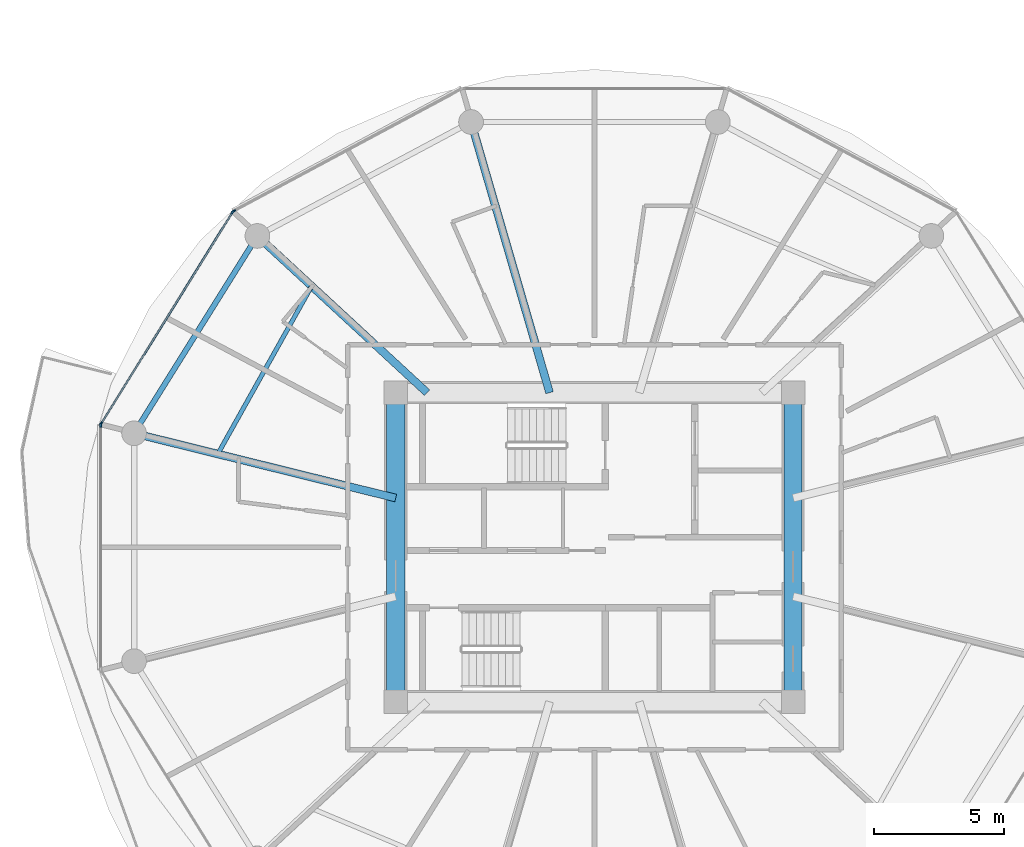
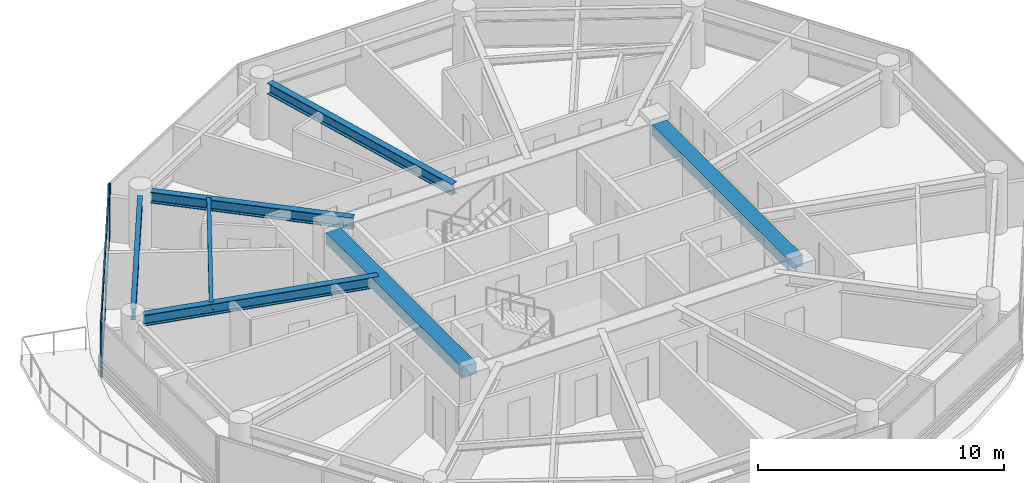
# One storey, part 4 of 28: 7 beams, 6 members, 3 elements without a shape of their own.
"""IFC4 building model written with IfcOpenShell, lengths in metres."""

from ifc_helpers import new_model, si_unit, direction, frame, origin, origin_2d, place, context, subcontext, project, spatial, rectangle, i_section, extrude, source, transform, mapped, material, layer, layer_set, material_profile, profile_set, type_object, type_shapes, element, aggregate, save


model = new_model("IFC4")

# Units and contexts
model_context = context("Model", 3, precision=1e-05, world=origin(), true_north=direction((0.0, 1.0)))
body_context = subcontext(model_context, "Body", "Model", "MODEL_VIEW")
ifc_project = project(units=[si_unit("LENGTHUNIT", "METRE"), si_unit("AREAUNIT", "SQUARE_METRE"), si_unit("VOLUMEUNIT", "CUBIC_METRE"), si_unit("PLANEANGLEUNIT", "RADIAN"), si_unit("MASSUNIT", "GRAM", prefix="KILO")], contexts=[model_context])

# Site, building, storey
site_placement = place(None, origin())
site = spatial("IfcSite", under=ifc_project, at=site_placement, CompositionType="ELEMENT")
building_placement = place(site_placement, origin())
building = spatial("IfcBuilding", under=site, at=building_placement, Name="Norrkilde Senior Care Towers", CompositionType="ELEMENT")
storey_placement = place(building_placement, frame((0.0, 0.0, 39.89990234375)))
storey = spatial("IfcBuildingStorey", under=building, at=storey_placement, Name="L11", CompositionType="ELEMENT", Elevation=39.89990234375)

# Beams
ifc_material_1 = material(Name="Concrete C60/75", Category="concrete")
ifc_material_profile_1 = material_profile(ifc_material_1, rectangle(XDim=0.699951171875, YDim=0.550048828125, at=origin_2d()), Name="RC BM 700x550")
ifc_profile_set_1 = profile_set([ifc_material_profile_1], Name="Concrete C60/75")
beam_type_1 = type_object("IfcBeamType", Name="Core Portal Coupling Beam 700x550", PredefinedType="USERDEFINED", material=ifc_profile_set_1)
shared_shape_1 = source(origin(), body_context, "Body", "SweptSolid", [
    extrude(rectangle(XDim=0.699951171875, YDim=0.550048828125, at=origin_2d()), origin(), (0.0, 0.0, 1.0), 11.0400390625),
])
type_shapes(beam_type_1, [shared_shape_1])
for number, where, z_axis, x_axis, name in (
    (1, (-35.64990234375, -5.52001953125, 2.51513671875), (0.0, 1.0, 0.0), (-1.0, 0.0, 0.0), "L11 Core W W Coupling Girder"),
    (2, (-20.35009765625, -5.52001953125, 2.51513671875), (0.0, 1.0, 0.0), (-1.0, 0.0, 0.0), "L11 Core W E Coupling Girder"),
):
    element("IfcBeam", number, at=place(storey_placement, frame(where, z_axis=z_axis, x_axis=x_axis)), inside=storey, type_object=beam_type_1, Name=name, ObjectType="GIRDER", PredefinedType="USERDEFINED", context=body_context, shape_type="MappedRepresentation", body=[
        mapped(shared_shape_1, transform((0.0, 0.0, 0.0), x_axis=(1.0, 0.0, 0.0), y_axis=(0.0, 1.0, 0.0), z_axis=(0.0, 0.0, 1.0), scale=1.0)),
    ])
ifc_material_2 = material(Name="Steel S355", Category="steel")
ifc_material_profile_2 = material_profile(ifc_material_2, i_section(OverallWidth=0.2099609375, OverallDepth=0.550048828125, WebThickness=0.010986328125, FlangeThickness=0.01708984375, FilletRadius=0.02392578125, at=origin_2d()), Name="IPE 550")
ifc_profile_set_2 = profile_set([ifc_material_profile_2], Name="Steel S355")
beam_type_2 = type_object("IfcBeamType", Name="Perimeter Ring Spandrel Z1 IPE550", PredefinedType="SPANDREL", material=ifc_profile_set_2)
shared_shape_2 = source(origin(), body_context, "Body", "SweptSolid", [
    extrude(i_section(OverallWidth=0.2099609375, OverallDepth=0.550048828125, WebThickness=0.010986328125, FlangeThickness=0.01708984375, FilletRadius=0.02392578125, at=origin_2d()), origin(), (0.0, 0.0, 1.0), 8.090576171875),
])
type_shapes(beam_type_2, [shared_shape_2])
beam_1_placement = place(storey_placement, frame((-41.2060546875, 11.61669921875, 2.51513671875), z_axis=(-0.530004364821, -0.84799491347, 0.0), x_axis=(0.84799491347, -0.530004364821, 0.0)))
element("IfcBeam", 3, at=beam_1_placement, inside=storey, type_object=beam_type_2, Name="L11 Drum W Perimeter Spandrel 05", PredefinedType="SPANDREL", context=body_context, shape_type="MappedRepresentation", body=[
    mapped(shared_shape_2, transform((0.0, 0.0, 0.0), x_axis=(1.0, 0.0, 0.0), y_axis=(0.0, 1.0, 0.0), z_axis=(0.0, 0.0, 1.0), scale=1.0)),
])
ifc_material_profile_3 = material_profile(ifc_material_2, i_section(OverallWidth=0.300048828125, OverallDepth=0.550048828125, WebThickness=0.014892578125, FlangeThickness=0.029052734375, FilletRadius=0.027099609375, at=origin_2d()), Name="HEB 550")
ifc_profile_set_3 = profile_set([ifc_material_profile_3], Name="Steel S355")
beam_type_3 = type_object("IfcBeamType", Name="Radial Floor Beam Z1 HEB550", PredefinedType="BEAM", material=ifc_profile_set_3)
shared_shape_3 = source(origin(), body_context, "Body", "SweptSolid", [
    extrude(i_section(OverallWidth=0.300048828125, OverallDepth=0.550048828125, WebThickness=0.014892578125, FlangeThickness=0.029052734375, FilletRadius=0.027099609375, at=origin_2d()), origin(), (0.0, 0.0, 1.0), 9.94384765625),
])
beam_2_placement = place(storey_placement, frame((-35.64990234375, 1.893310546875, 2.51513671875), z_axis=(-0.970707425182, 0.240264634718, 0.0), x_axis=(-0.240264634718, -0.970707425182, 0.0)))
element("IfcBeam", 4, at=beam_2_placement, inside=storey, type_object=beam_type_3, Name="L11 Drum W Radial Floor Beam 06", PredefinedType="BEAM", context=body_context, shape_type="MappedRepresentation", body=[
    mapped(shared_shape_3, transform((0.0, 0.0, 0.0), x_axis=(1.0, 0.0, 0.0), y_axis=(0.0, 1.0, 0.0), z_axis=(0.0, 0.0, 1.0), scale=1.0)),
])
shared_shape_4 = source(origin(), body_context, "Body", "SweptSolid", [
    extrude(i_section(OverallWidth=0.300048828125, OverallDepth=0.550048828125, WebThickness=0.014892578125, FlangeThickness=0.029052734375, FilletRadius=0.027099609375, at=origin_2d()), origin(), (0.0, 0.0, 1.0), 8.459716796875),
])
beam_3_placement = place(storey_placement, frame((-34.44140625, 5.949951171875, 2.51513671875), z_axis=(-0.734573269108, 0.678529374686, 0.0), x_axis=(-0.678529374686, -0.734573269108, 0.0)))
element("IfcBeam", 5, at=beam_3_placement, inside=storey, type_object=beam_type_3, Name="L11 Drum W Radial Floor Beam 05", PredefinedType="BEAM", context=body_context, shape_type="MappedRepresentation", body=[
    mapped(shared_shape_4, transform((0.0, 0.0, 0.0), x_axis=(1.0, 0.0, 0.0), y_axis=(0.0, 1.0, 0.0), z_axis=(0.0, 0.0, 1.0), scale=1.0)),
])
shared_shape_5 = source(origin(), body_context, "Body", "SweptSolid", [
    extrude(i_section(OverallWidth=0.300048828125, OverallDepth=0.550048828125, WebThickness=0.014892578125, FlangeThickness=0.029052734375, FilletRadius=0.027099609375, at=origin_2d()), origin(), (0.0, 0.0, 1.0), 10.4169921875),
])
type_shapes(beam_type_3, [shared_shape_3, shared_shape_4, shared_shape_5])
beam_4_placement = place(storey_placement, frame((-29.72607421875, 5.949951171875, 2.51513671875), z_axis=(-0.278591250785, 0.960409764104, 0.0), x_axis=(-0.960409764104, -0.278591250785, 0.0)))
element("IfcBeam", 6, at=beam_4_placement, inside=storey, type_object=beam_type_3, Name="L11 Drum W Radial Floor Beam 04", PredefinedType="BEAM", context=body_context, shape_type="MappedRepresentation", body=[
    mapped(shared_shape_5, transform((0.0, 0.0, 0.0), x_axis=(1.0, 0.0, 0.0), y_axis=(0.0, 1.0, 0.0), z_axis=(0.0, 0.0, 1.0), scale=1.0)),
])
ifc_material_profile_4 = material_profile(ifc_material_2, i_section(OverallWidth=0.169921875, OverallDepth=0.360107421875, WebThickness=0.008056640625, FlangeThickness=0.0126953125, FilletRadius=0.01806640625, at=origin_2d()), Name="IPE 360")
ifc_profile_set_4 = profile_set([ifc_material_profile_4], Name="Steel S355")
beam_type_4 = type_object("IfcBeamType", Name="Secondary Floor Joist IPE360", PredefinedType="JOIST", material=ifc_profile_set_4)
shared_shape_6 = source(origin(), body_context, "Body", "SweptSolid", [
    extrude(i_section(OverallWidth=0.169921875, OverallDepth=0.360107421875, WebThickness=0.008056640625, FlangeThickness=0.0126953125, FilletRadius=0.01806640625, at=origin_2d()), origin(), (0.0, 0.0, 1.0), 7.40771484375),
])
type_shapes(beam_type_4, [shared_shape_6])
beam_5_placement = place(storey_placement, frame((-38.884521484375, 10.05419921875, 2.610107421875), z_axis=(-0.488167754092, -0.872749817453, 0.0), x_axis=(0.872749817453, -0.488167754092, 0.0)))
element("IfcBeam", 7, at=beam_5_placement, inside=storey, type_object=beam_type_4, Name="L11 Drum W Secondary Floor Joist 2", PredefinedType="JOIST", context=body_context, shape_type="MappedRepresentation", body=[
    mapped(shared_shape_6, transform((0.0, 0.0, 0.0), x_axis=(1.0, 0.0, 0.0), y_axis=(0.0, 1.0, 0.0), z_axis=(0.0, 0.0, 1.0), scale=1.0)),
])

# Curtain wall, member
ifc_material_3 = material(Name="Triple Low-E Insulated Glazing", Category="glass")
ifc_layer = layer(ifc_material_3, 0.199951171875)
ifc_layer_set = layer_set([ifc_layer], Name="Triple Low-E Insulated Glazing")
curtain_wall_type = type_object("IfcCurtainWallType", Name="CW2 Zone 1 Memory Care Curtain Wall", PredefinedType="NOTDEFINED", material=ifc_layer_set)
curtain_wall_1_placement = place(storey_placement, origin())
curtain_wall_1 = element("IfcCurtainWall", 8, at=curtain_wall_1_placement, inside=storey, type_object=curtain_wall_type, Name="L11 Drum W Curtain Wall 03", PredefinedType="NOTDEFINED")
ifc_material_4 = material(Name="Anodised Aluminium", Category="aluminium")
ifc_material_profile_5 = material_profile(ifc_material_4, rectangle(XDim=0.06494140625, YDim=0.159912109375, at=origin_2d()), Name="ALU MULL 65x160")
ifc_profile_set_5 = profile_set([ifc_material_profile_5], Name="Anodised Aluminium")
member_type_1 = type_object("IfcMemberType", Name="Curtain Wall Mullion Z1-Z2 65x160", PredefinedType="MULLION", material=ifc_profile_set_5)
shared_shape_7 = source(origin(), body_context, "Body", "SweptSolid", [
    extrude(rectangle(XDim=0.06494140625, YDim=0.159912109375, at=origin_2d()), origin(), (0.0, 0.0, 1.0), 2.7900390625),
])
type_shapes(member_type_1, [shared_shape_7])
member_1_placement = place(storey_placement, frame((-41.88720703125, 12.941162109375, 0.0), z_axis=(0.0, 0.0, 1.0), x_axis=(-0.472607802456, 0.881272866403, 0.0)))
member_1 = element("IfcMember", 9, at=member_1_placement, type_object=member_type_1, Name="CW-2 mullion 1", PredefinedType="MULLION", context=body_context, shape_type="MappedRepresentation", body=[
    mapped(shared_shape_7, transform((0.0, 0.0, 0.0), x_axis=(1.0, 0.0, 0.0), y_axis=(0.0, 1.0, 0.0), z_axis=(0.0, 0.0, 1.0), scale=1.0)),
])
aggregate(curtain_wall_1, [member_1])

# Curtain wall, members
curtain_wall_2_placement = place(storey_placement, origin())
curtain_wall_2 = element("IfcCurtainWall", 10, at=curtain_wall_2_placement, inside=storey, type_object=curtain_wall_type, Name="L11 Drum W Curtain Wall 04", PredefinedType="NOTDEFINED")
member_2_placement = place(storey_placement, frame((-46.9921875, 4.7587890625, 0.0), z_axis=(0.0, 0.0, 1.0), x_axis=(-0.849305943117, 0.527900951871, 0.0)))
member_2 = element("IfcMember", 11, at=member_2_placement, type_object=member_type_1, Name="CW-2 mullion 1", PredefinedType="MULLION", context=body_context, shape_type="MappedRepresentation", body=[
    mapped(shared_shape_7, transform((0.0, 0.0, 0.0), x_axis=(1.0, 0.0, 0.0), y_axis=(0.0, 1.0, 0.0), z_axis=(0.0, 0.0, 1.0), scale=1.0)),
])
member_3_placement = place(storey_placement, frame((-41.93310546875, 12.898193359375, 0.0), z_axis=(0.0, 0.0, 1.0), x_axis=(-0.849305943117, 0.527900951871, 0.0)))
member_3 = element("IfcMember", 12, at=member_3_placement, type_object=member_type_1, Name="CW-2 mullion 2", PredefinedType="MULLION", context=body_context, shape_type="MappedRepresentation", body=[
    mapped(shared_shape_7, transform((0.0, 0.0, 0.0), x_axis=(1.0, 0.0, 0.0), y_axis=(0.0, 1.0, 0.0), z_axis=(0.0, 0.0, 1.0), scale=1.0)),
])

# Curtain wall, member
curtain_wall_3_placement = place(storey_placement, origin())
curtain_wall_3 = element("IfcCurtainWall", 13, at=curtain_wall_3_placement, inside=storey, type_object=curtain_wall_type, Name="L11 Drum W Curtain Wall 05", PredefinedType="NOTDEFINED")
member_4_placement = place(storey_placement, frame((-47.009521484375, 4.69873046875, 0.0), z_axis=(0.0, 0.0, 1.0), x_axis=(-1.0, 0.0, 0.0)))
member_4 = element("IfcMember", 14, at=member_4_placement, type_object=member_type_1, Name="CW-2 mullion 2", PredefinedType="MULLION", context=body_context, shape_type="MappedRepresentation", body=[
    mapped(shared_shape_7, transform((0.0, 0.0, 0.0), x_axis=(1.0, 0.0, 0.0), y_axis=(0.0, 1.0, 0.0), z_axis=(0.0, 0.0, 1.0), scale=1.0)),
])
aggregate(curtain_wall_3, [member_4])

# Member
ifc_material_profile_6 = material_profile(ifc_material_4, rectangle(XDim=0.06005859375, YDim=0.1201171875, at=origin_2d()), Name="ALU TRAN 60x120")
ifc_profile_set_6 = profile_set([ifc_material_profile_6], Name="Anodised Aluminium")
member_type_2 = type_object("IfcMemberType", Name="Curtain Wall Transom Typical 60x120", PredefinedType="USERDEFINED", material=ifc_profile_set_6)
shared_shape_8 = source(origin(), body_context, "Body", "SweptSolid", [
    extrude(rectangle(XDim=0.06005859375, YDim=0.1201171875, at=origin_2d()), origin(), (0.0, 0.0, 1.0), 9.5185546875),
])
type_shapes(member_type_2, [shared_shape_8])
member_5_placement = place(storey_placement, frame((-46.97509765625, 4.786376953125, 0.030029296875), z_axis=(0.527901620669, 0.849305527413, 0.0), x_axis=(-0.849305527413, 0.527901620669, 0.0)))
member_5 = element("IfcMember", 15, at=member_5_placement, type_object=member_type_2, Name="CW-2 transom 1.1", ObjectType="TRANSOM", PredefinedType="USERDEFINED", context=body_context, shape_type="MappedRepresentation", body=[
    mapped(shared_shape_8, transform((0.0, 0.0, 0.0), x_axis=(1.0, 0.0, 0.0), y_axis=(0.0, 1.0, 0.0), z_axis=(0.0, 0.0, 1.0), scale=1.0)),
])

member_6_placement = place(storey_placement, frame((-46.97509765625, 4.786376953125, 2.760009765625), z_axis=(0.527901620669, 0.849305527413, 0.0), x_axis=(-0.849305527413, 0.527901620669, 0.0)))
member_6 = element("IfcMember", 16, at=member_6_placement, type_object=member_type_2, Name="CW-2 transom 1.2", ObjectType="TRANSOM", PredefinedType="USERDEFINED", context=body_context, shape_type="MappedRepresentation", body=[
    mapped(shared_shape_8, transform((0.0, 0.0, 0.0), x_axis=(1.0, 0.0, 0.0), y_axis=(0.0, 1.0, 0.0), z_axis=(0.0, 0.0, 1.0), scale=1.0)),
])

aggregate(curtain_wall_2, [member_2, member_3, member_5, member_6])

save(model, "model.ifc")
